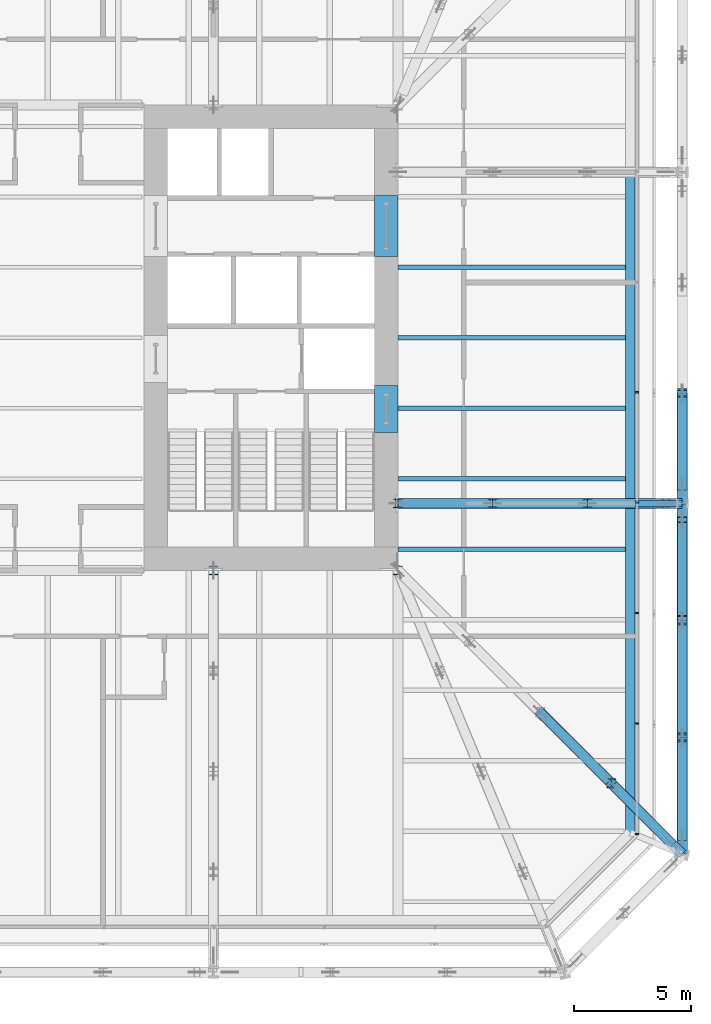
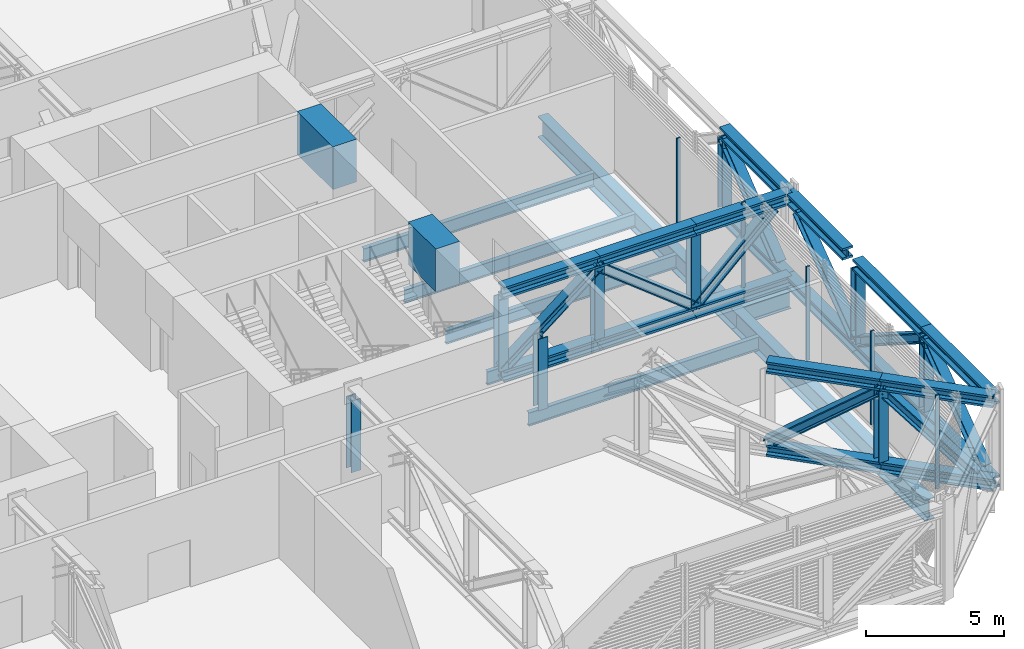
# One storey, part 11 of 33: 28 beams, 23 members, 1 element without a shape of its own.
"""IFC4 building model written with IfcOpenShell, lengths in metres."""

from ifc_helpers import new_model, si_unit, direction, frame, origin, origin_2d, place, context, subcontext, project, spatial, rectangle, i_section, extrude, material, layer, layer_set, material_profile, profile_set, type_object, element, aggregate, save


model = new_model("IFC4")

# Units and contexts
model_context = context("Model", 3, precision=1e-05, world=origin(), true_north=direction((0.0, 1.0)))
body_context = subcontext(model_context, "Body", "Model", "MODEL_VIEW")
ifc_project = project(units=[si_unit("LENGTHUNIT", "METRE"), si_unit("AREAUNIT", "SQUARE_METRE"), si_unit("VOLUMEUNIT", "CUBIC_METRE"), si_unit("PLANEANGLEUNIT", "RADIAN"), si_unit("MASSUNIT", "GRAM", prefix="KILO")], contexts=[model_context])

# Site, building, storey
site_placement = place(None, origin())
site = spatial("IfcSite", under=ifc_project, at=site_placement, CompositionType="ELEMENT")
building_placement = place(site_placement, origin())
building = spatial("IfcBuilding", under=site, at=building_placement, Name="Millrace Tower", CompositionType="ELEMENT")
storey_placement = place(building_placement, frame((0.0, 0.0, 64.10009765625)))
storey = spatial("IfcBuildingStorey", under=building, at=storey_placement, Name="L14", CompositionType="ELEMENT", Elevation=64.10009765625)

# Beams
ifc_material_1 = material(Name="Steel ASTM A992 Grade 50", Category="steel")
ifc_material_profile_1 = material_profile(ifc_material_1, i_section(OverallWidth=0.436767578125, OverallDepth=0.51318359375, WebThickness=0.060546875, FlangeThickness=0.096923828125, FilletRadius=0.01513671875, at=origin_2d()))
ifc_profile_set_1 = profile_set([ifc_material_profile_1], Name="Steel ASTM A992 Grade 50")
beam_type_1 = type_object("IfcBeamType", Name="Belt truss chord W14x550", PredefinedType="BEAM", material=ifc_profile_set_1)
beam_1_placement = place(storey_placement, frame((27.0, -21.978515625, 0.25634765625), z_axis=(0.0, 1.0, 0.0), x_axis=(-1.0, 0.0, 0.0)))
element("IfcBeam", 1, at=beam_1_placement, inside=storey, type_object=beam_type_1, Name="BLT-L14-R06-B01", PredefinedType="BEAM", context=body_context, shape_type="SweptSolid", body=[
    extrude(i_section(OverallWidth=0.436767578125, OverallDepth=0.51318359375, WebThickness=0.060546875, FlangeThickness=0.096923828125, FilletRadius=0.01513671875, at=origin_2d()), origin(), (0.0, 0.0, 1.0), 4.976318359375),
])
for number, where, z_axis, x_axis, name in (
    (2, (27.0, -17.002197265625, 0.25634765625), (0.0, 1.0, 0.0), (-1.0, 0.0, 0.0), "BLT-L14-R06-B02"),
    (3, (27.0, -17.002197265625, 3.943359375), (0.0, 1.0, 0.0), (-1.0, 0.0, 0.0), "BLT-L14-R06-T02"),
    (4, (27.0, -12.026123046875, 0.25634765625), (0.0, 1.0, 0.0), (-1.0, 0.0, 0.0), "BLT-L14-R06-B03"),
):
    element("IfcBeam", number, at=place(storey_placement, frame(where, z_axis=z_axis, x_axis=x_axis)), inside=storey, type_object=beam_type_1, Name=name, PredefinedType="BEAM", context=body_context, shape_type="SweptSolid", body=[
        extrude(i_section(OverallWidth=0.436767578125, OverallDepth=0.51318359375, WebThickness=0.060546875, FlangeThickness=0.096923828125, FilletRadius=0.01513671875, at=origin_2d()), origin(), (0.0, 0.0, 1.0), 4.97607421875),
    ])
beam_2_placement = place(storey_placement, frame((27.0, -7.050048828125, 0.25634765625), z_axis=(0.0, 1.0, 0.0), x_axis=(-1.0, 0.0, 0.0)))
element("IfcBeam", 5, at=beam_2_placement, inside=storey, type_object=beam_type_1, Name="BLT-L14-R07-B01", PredefinedType="BEAM", context=body_context, shape_type="SweptSolid", body=[
    extrude(i_section(OverallWidth=0.436767578125, OverallDepth=0.51318359375, WebThickness=0.060546875, FlangeThickness=0.096923828125, FilletRadius=0.01513671875, at=origin_2d()), origin(), (0.0, 0.0, 1.0), 4.699951171875),
])
beam_3_placement = place(storey_placement, frame((27.0, -21.961181640625, 3.943359375), z_axis=(0.0, 1.0, 0.0), x_axis=(-1.0, 0.0, 0.0)))
element("IfcBeam", 6, at=beam_3_placement, inside=storey, type_object=beam_type_1, Name="BLT-L14-R06-T01", PredefinedType="BEAM", context=body_context, shape_type="SweptSolid", body=[
    extrude(i_section(OverallWidth=0.436767578125, OverallDepth=0.51318359375, WebThickness=0.060546875, FlangeThickness=0.096923828125, FilletRadius=0.01513671875, at=origin_2d()), origin(), (0.0, 0.0, 1.0), 4.958984375),
])
beam_4_placement = place(storey_placement, frame((27.0, -7.03271484375, 3.943359375), z_axis=(0.0, 1.0, 0.0), x_axis=(-1.0, 0.0, 0.0)))
element("IfcBeam", 7, at=beam_4_placement, inside=storey, type_object=beam_type_1, Name="BLT-L14-R07-T01", PredefinedType="BEAM", context=body_context, shape_type="SweptSolid", body=[
    extrude(i_section(OverallWidth=0.436767578125, OverallDepth=0.51318359375, WebThickness=0.060546875, FlangeThickness=0.096923828125, FilletRadius=0.01513671875, at=origin_2d()), origin(), (0.0, 0.0, 1.0), 4.6826171875),
])
beam_5_placement = place(storey_placement, frame((27.0, -11.283203125, 3.943359375), z_axis=(0.0, 1.0, 0.0), x_axis=(-1.0, 0.0, 0.0)))
element("IfcBeam", 8, at=beam_5_placement, inside=storey, type_object=beam_type_1, Name="BLT-L14-R06-T03", PredefinedType="BEAM", context=body_context, shape_type="SweptSolid", body=[
    extrude(i_section(OverallWidth=0.436767578125, OverallDepth=0.51318359375, WebThickness=0.060546875, FlangeThickness=0.096923828125, FilletRadius=0.01513671875, at=origin_2d()), origin(), (0.0, 0.0, 1.0), 4.2158203125),
])

# Members
ifc_material_2 = material(Name="Steel ASTM A992 Grade 50", Category="steel")
ifc_material_profile_2 = material_profile(ifc_material_2, i_section(OverallWidth=0.40380859375, OverallDepth=0.406494140625, WebThickness=0.027099609375, FlangeThickness=0.043701171875, FilletRadius=0.01513671875, at=origin_2d()))
ifc_profile_set_2 = profile_set([ifc_material_profile_2], Name="Steel ASTM A992 Grade 50")
member_type_1 = type_object("IfcMemberType", Name="Belt truss diagonal W14x233", PredefinedType="BRACE", material=ifc_profile_set_2)
member_1_placement = place(storey_placement, frame((27.0, -21.2783203125, 0.512939453125), z_axis=(0.0, 0.802988323282, 0.59599475893), x_axis=(-1.0, 0.0, 0.0)))
element("IfcMember", 9, at=member_1_placement, inside=storey, type_object=member_type_1, Name="BLT-L14-R06-D01", PredefinedType="BRACE", context=body_context, shape_type="SweptSolid", body=[
    extrude(i_section(OverallWidth=0.40380859375, OverallDepth=0.406494140625, WebThickness=0.027099609375, FlangeThickness=0.043701171875, FilletRadius=0.01513671875, at=origin_2d()), origin(), (0.0, 0.0, 1.0), 5.3251953125),
])
member_2_placement = place(storey_placement, frame((27.0, -12.026123046875, 0.512939453125), z_axis=(0.0, -0.843105769353, 0.537747767716), x_axis=(1.0, 0.0, 0.0)))
element("IfcMember", 10, at=member_2_placement, inside=storey, type_object=member_type_1, Name="BLT-L14-R06-D02", PredefinedType="BRACE", context=body_context, shape_type="SweptSolid", body=[
    extrude(i_section(OverallWidth=0.40380859375, OverallDepth=0.406494140625, WebThickness=0.027099609375, FlangeThickness=0.043701171875, FilletRadius=0.01513671875, at=origin_2d()), origin(), (0.0, 0.0, 1.0), 5.902099609375),
])
member_3_placement = place(storey_placement, frame((27.0, -12.026123046875, 0.512939453125), z_axis=(0.0, 0.802988323282, 0.59599475893), x_axis=(-1.0, 0.0, 0.0)))
element("IfcMember", 11, at=member_3_placement, inside=storey, type_object=member_type_1, Name="BLT-L14-R06-D03", PredefinedType="BRACE", context=body_context, shape_type="SweptSolid", body=[
    extrude(i_section(OverallWidth=0.40380859375, OverallDepth=0.406494140625, WebThickness=0.027099609375, FlangeThickness=0.043701171875, FilletRadius=0.01513671875, at=origin_2d()), origin(), (0.0, 0.0, 1.0), 5.3251953125),
])
member_4_placement = place(storey_placement, frame((27.0, -6.35009765625, 0.512939453125), z_axis=(0.0, 0.783362807967, 0.621564728001), x_axis=(-1.0, 0.0, 0.0)))
element("IfcMember", 12, at=member_4_placement, inside=storey, type_object=member_type_1, Name="BLT-L14-R07-D01", PredefinedType="BRACE", context=body_context, shape_type="SweptSolid", body=[
    extrude(i_section(OverallWidth=0.40380859375, OverallDepth=0.406494140625, WebThickness=0.027099609375, FlangeThickness=0.043701171875, FilletRadius=0.01513671875, at=origin_2d()), origin(), (0.0, 0.0, 1.0), 5.106201171875),
])
ifc_material_3 = material(Name="Steel ASTM A992 Grade 50", Category="steel")
ifc_material_profile_3 = material_profile(ifc_material_3, i_section(OverallWidth=0.398681640625, OverallDepth=0.393798828125, WebThickness=0.022705078125, FlangeThickness=0.03662109375, FilletRadius=0.01513671875, at=origin_2d()))
ifc_profile_set_3 = profile_set([ifc_material_profile_3], Name="Steel ASTM A992 Grade 50")
member_type_2 = type_object("IfcMemberType", Name="Belt truss post W14x193", PredefinedType="POST", material=ifc_profile_set_3)
for number, where, z_axis, x_axis, name in (
    (13, (27.0, -17.002197265625, 0.512939453125), (0.0, 0.0, 1.0), (1.0, 0.0, 0.0), "BLT-L14-R06-V01"),
    (14, (27.0, -12.026123046875, 0.512939453125), (0.0, 0.0, 1.0), (1.0, 0.0, 0.0), "BLT-L14-R06-V02"),
    (15, (27.0, -2.35009765625, 0.512939453125), (0.0, 0.0, 1.0), (1.0, 0.0, 0.0), "BLT-L14-R07-V01"),
):
    element("IfcMember", number, at=place(storey_placement, frame(where, z_axis=z_axis, x_axis=x_axis)), inside=storey, type_object=member_type_2, Name=name, PredefinedType="POST", context=body_context, shape_type="SweptSolid", body=[
        extrude(i_section(OverallWidth=0.398681640625, OverallDepth=0.393798828125, WebThickness=0.022705078125, FlangeThickness=0.03662109375, FilletRadius=0.01513671875, at=origin_2d()), origin(), (0.0, 0.0, 1.0), 3.173828125),
    ])

# Curtain wall, members
ifc_material_4 = material(Name="Aluminium and glass", Category="aluminium")
ifc_layer = layer(ifc_material_4, 0.14990234375)
ifc_layer_set = layer_set([ifc_layer], Name="Aluminium and glass")
curtain_wall_type = type_object("IfcCurtainWallType", Name="CW-5 truss and plant storey louvred infill", PredefinedType="NOTDEFINED", material=ifc_layer_set)
curtain_wall_placement = place(storey_placement, origin())
curtain_wall = element("IfcCurtainWall", 16, at=curtain_wall_placement, inside=storey, type_object=curtain_wall_type, Name="Curtain wall A-F04 L14", PredefinedType="NOTDEFINED")
ifc_material_5 = material(Name="Aluminium", Category="aluminium")
ifc_material_profile_4 = material_profile(ifc_material_5, rectangle(XDim=0.06494140625, YDim=0.14990234375, at=origin_2d()))
ifc_profile_set_4 = profile_set([ifc_material_profile_4], Name="Aluminium")
member_type_3 = type_object("IfcMemberType", Name="CW-5 truss and plant storey louvred infill mullion", PredefinedType="MULLION", material=ifc_profile_set_4)
member_5_placement = place(storey_placement, frame((25.074951171875, -21.117431640625, 0.139892578125), z_axis=(0.0, 0.0, 1.0), x_axis=(0.0, 1.0, 0.0)))
member_5 = element("IfcMember", 17, at=member_5_placement, type_object=member_type_3, Name="CW5 mullion A-F04.1", PredefinedType="MULLION", context=body_context, shape_type="SweptSolid", body=[
    extrude(rectangle(XDim=0.06494140625, YDim=0.14990234375, at=origin_2d()), origin(), (0.0, 0.0, 1.0), 4.159912109375),
])
member_6_placement = place(storey_placement, frame((25.074951171875, -16.41748046875, 0.139892578125), z_axis=(0.0, 0.0, 1.0), x_axis=(0.0, 1.0, 0.0)))
member_6 = element("IfcMember", 18, at=member_6_placement, type_object=member_type_3, Name="CW5 mullion A-F04.2", PredefinedType="MULLION", context=body_context, shape_type="SweptSolid", body=[
    extrude(rectangle(XDim=0.06494140625, YDim=0.14990234375, at=origin_2d()), origin(), (0.0, 0.0, 1.0), 4.159912109375),
])
member_7_placement = place(storey_placement, frame((25.074951171875, -11.717529296875, 0.139892578125), z_axis=(0.0, 0.0, 1.0), x_axis=(0.0, 1.0, 0.0)))
member_7 = element("IfcMember", 19, at=member_7_placement, type_object=member_type_3, Name="CW5 mullion A-F04.3", PredefinedType="MULLION", context=body_context, shape_type="SweptSolid", body=[
    extrude(rectangle(XDim=0.06494140625, YDim=0.14990234375, at=origin_2d()), origin(), (0.0, 0.0, 1.0), 4.159912109375),
])
member_8_placement = place(storey_placement, frame((25.074951171875, -7.017578125, 0.139892578125), z_axis=(0.0, 0.0, 1.0), x_axis=(0.0, 1.0, 0.0)))
member_8 = element("IfcMember", 20, at=member_8_placement, type_object=member_type_3, Name="CW5 mullion A-F04.4", PredefinedType="MULLION", context=body_context, shape_type="SweptSolid", body=[
    extrude(rectangle(XDim=0.06494140625, YDim=0.14990234375, at=origin_2d()), origin(), (0.0, 0.0, 1.0), 4.159912109375),
])
member_9_placement = place(storey_placement, frame((25.074951171875, -2.3173828125, 0.139892578125), z_axis=(0.0, 0.0, 1.0), x_axis=(0.0, 1.0, 0.0)))
member_9 = element("IfcMember", 21, at=member_9_placement, type_object=member_type_3, Name="CW5 mullion A-F04.5", PredefinedType="MULLION", context=body_context, shape_type="SweptSolid", body=[
    extrude(rectangle(XDim=0.06494140625, YDim=0.14990234375, at=origin_2d()), origin(), (0.0, 0.0, 1.0), 4.159912109375),
])
aggregate(curtain_wall, [member_5, member_6, member_7, member_8, member_9])

# Beams
ifc_material_6 = material(Name="Concrete C80", Category="concrete")
ifc_material_profile_5 = material_profile(ifc_material_6, rectangle(XDim=1.0, YDim=1.89990234375, at=origin_2d()))
ifc_profile_set_5 = profile_set([ifc_material_profile_5], Name="Concrete C80")
beam_type_2 = type_object("IfcBeamType", Name="Coupling beam 1000 x 1900 Concrete C80, 1300 opening", PredefinedType="BEAM", material=ifc_profile_set_5)
beam_6_placement = place(storey_placement, frame((14.39990234375, -2.032470703125, 3.349853515625), z_axis=(0.0, -1.0, 0.0), x_axis=(1.0, 0.0, 0.0)))
element("IfcBeam", 22, at=beam_6_placement, inside=storey, type_object=beam_type_2, Name="Coupling beam E L14", PredefinedType="BEAM", context=body_context, shape_type="SweptSolid", body=[
    extrude(rectangle(XDim=1.0, YDim=1.89990234375, at=origin_2d()), origin(), (0.0, 0.0, 1.0), 1.9951171875),
])
ifc_material_7 = material(Name="Concrete C80", Category="concrete")
ifc_material_profile_6 = material_profile(ifc_material_7, rectangle(XDim=1.0, YDim=1.89990234375, at=origin_2d()))
ifc_profile_set_6 = profile_set([ifc_material_profile_6], Name="Concrete C80")
beam_type_3 = type_object("IfcBeamType", Name="Coupling beam 1000 x 1900 Concrete C80, 2000 opening", PredefinedType="BEAM", material=ifc_profile_set_6)
beam_7_placement = place(storey_placement, frame((14.39990234375, 6.050048828125, 3.349853515625), z_axis=(0.0, -1.0, 0.0), x_axis=(1.0, 0.0, 0.0)))
element("IfcBeam", 23, at=beam_7_placement, inside=storey, type_object=beam_type_3, Name="Coupling beam E L14", PredefinedType="BEAM", context=body_context, shape_type="SweptSolid", body=[
    extrude(rectangle(XDim=1.0, YDim=1.89990234375, at=origin_2d()), origin(), (0.0, 0.0, 1.0), 2.60009765625),
])
ifc_material_8 = material(Name="Steel ASTM A992 Grade 50", Category="steel")
ifc_material_profile_7 = material_profile(ifc_material_8, i_section(OverallWidth=0.177978515625, OverallDepth=0.599365234375, WebThickness=0.010009765625, FlangeThickness=0.012939453125, FilletRadius=0.012939453125, at=origin_2d()))
ifc_profile_set_7 = profile_set([ifc_material_profile_7], Name="Steel ASTM A992 Grade 50")
beam_type_4 = type_object("IfcBeamType", Name="Floor beam W24x55", PredefinedType="JOIST", material=ifc_profile_set_7)
for number, where, z_axis, x_axis, name in (
    (24, (14.89990234375, -9.0, -0.5498046875), (1.0, 0.0, 0.0), (0.0, 1.0, 0.0), "BM-A-L14-S1-S013"),
    (25, (14.89990234375, -6.0, -0.5498046875), (1.0, 0.0, 0.0), (0.0, 1.0, 0.0), "BM-A-L14-S1-S016"),
    (26, (14.89990234375, -3.0, -0.5498046875), (1.0, 0.0, 0.0), (0.0, 1.0, 0.0), "BM-A-L14-S1-S019"),
    (27, (14.89990234375, 0.0, -0.5498046875), (1.0, 0.0, 0.0), (0.0, 1.0, 0.0), "BM-A-L14-S1-S022"),
    (28, (14.89990234375, 3.0, -0.5498046875), (1.0, 0.0, 0.0), (0.0, 1.0, 0.0), "BM-A-L14-S1-S025"),
):
    element("IfcBeam", number, at=place(storey_placement, frame(where, z_axis=z_axis, x_axis=x_axis)), inside=storey, type_object=beam_type_4, Name=name, PredefinedType="JOIST", context=body_context, shape_type="SweptSolid", body=[
        extrude(i_section(OverallWidth=0.177978515625, OverallDepth=0.599365234375, WebThickness=0.010009765625, FlangeThickness=0.012939453125, FilletRadius=0.012939453125, at=origin_2d()), origin(), (0.0, 0.0, 1.0), 9.678466796875),
    ])
ifc_material_9 = material(Name="Steel ASTM A992 Grade 50", Category="steel")
ifc_material_profile_8 = material_profile(ifc_material_9, i_section(OverallWidth=0.2666015625, OverallDepth=0.7568359375, WebThickness=0.013916015625, FlangeThickness=0.019287109375, FilletRadius=0.0166015625, at=origin_2d()))
ifc_profile_set_8 = profile_set([ifc_material_profile_8], Name="Steel ASTM A992 Grade 50")
beam_type_5 = type_object("IfcBeamType", Name="Link beam W30x108", PredefinedType="BEAM", material=ifc_profile_set_8)
beam_8_placement = place(storey_placement, frame((25.0, -7.050048828125, -0.628662109375), z_axis=(1.0, 0.0, 0.0), x_axis=(0.0, 1.0, 0.0)))
element("IfcBeam", 29, at=beam_8_placement, inside=storey, type_object=beam_type_5, Name="LNK-A-L14-S1-11", PredefinedType="BEAM", context=body_context, shape_type="SweptSolid", body=[
    extrude(i_section(OverallWidth=0.2666015625, OverallDepth=0.7568359375, WebThickness=0.013916015625, FlangeThickness=0.019287109375, FilletRadius=0.0166015625, at=origin_2d()), origin(), (0.0, 0.0, 1.0), 2.0),
])
ifc_material_10 = material(Name="Steel ASTM A992 Grade 50", Category="steel")
ifc_material_profile_9 = material_profile(ifc_material_10, i_section(OverallWidth=0.436767578125, OverallDepth=0.51318359375, WebThickness=0.060546875, FlangeThickness=0.096923828125, FilletRadius=0.01513671875, at=origin_2d()))
ifc_profile_set_9 = profile_set([ifc_material_profile_9], Name="Steel ASTM A992 Grade 50")
beam_type_6 = type_object("IfcBeamType", Name="Outrigger truss chord W14x550", PredefinedType="BEAM", material=ifc_profile_set_9)
for number, where, z_axis, x_axis, name in (
    (30, (20.949951171875, -15.939208984375, 0.25634765625), (0.707763346272, -0.706449605899, 0.0), (0.706449605899, 0.707763346272, 0.0), "BLT-L14-O06-B03"),
    (31, (20.949951171875, -15.939208984375, 3.943359375), (0.707763346272, -0.706449605899, 0.0), (0.706449605899, 0.707763346272, 0.0), "BLT-L14-O06-T03"),
    (32, (23.97509765625, -18.958740234375, 0.25634765625), (0.707706277922, -0.706506775756, 0.0), (0.706506775756, 0.707706277922, 0.0), "BLT-L14-O06-B04"),
    (33, (23.97509765625, -18.958740234375, 3.943359375), (0.707706277922, -0.706506775756, 0.0), (0.706506775756, 0.707706277922, 0.0), "BLT-L14-O06-T04"),
):
    element("IfcBeam", number, at=place(storey_placement, frame(where, z_axis=z_axis, x_axis=x_axis)), inside=storey, type_object=beam_type_6, Name=name, PredefinedType="BEAM", context=body_context, shape_type="SweptSolid", body=[
        extrude(i_section(OverallWidth=0.436767578125, OverallDepth=0.51318359375, WebThickness=0.060546875, FlangeThickness=0.096923828125, FilletRadius=0.01513671875, at=origin_2d()), origin(), (0.0, 0.0, 1.0), 4.274169921875),
    ])
for number, where, z_axis, x_axis, name in (
    (34, (14.89990234375, -7.050048828125, 0.25634765625), (1.0, 0.0, 0.0), (0.0, 1.0, 0.0), "BLT-L14-O07-B01"),
    (35, (14.89990234375, -7.050048828125, 3.943359375), (1.0, 0.0, 0.0), (0.0, 1.0, 0.0), "BLT-L14-O07-T01"),
):
    element("IfcBeam", number, at=place(storey_placement, frame(where, z_axis=z_axis, x_axis=x_axis)), inside=storey, type_object=beam_type_6, Name=name, PredefinedType="BEAM", context=body_context, shape_type="SweptSolid", body=[
        extrude(i_section(OverallWidth=0.436767578125, OverallDepth=0.51318359375, WebThickness=0.060546875, FlangeThickness=0.096923828125, FilletRadius=0.01513671875, at=origin_2d()), origin(), (0.0, 0.0, 1.0), 4.033447265625),
    ])
for number, where, z_axis, x_axis, name in (
    (36, (18.933349609375, -7.050048828125, 0.25634765625), (1.0, 0.0, 0.0), (0.0, 1.0, 0.0), "BLT-L14-O07-B02"),
    (37, (18.933349609375, -7.050048828125, 3.943359375), (1.0, 0.0, 0.0), (0.0, 1.0, 0.0), "BLT-L14-O07-T02"),
):
    element("IfcBeam", number, at=place(storey_placement, frame(where, z_axis=z_axis, x_axis=x_axis)), inside=storey, type_object=beam_type_6, Name=name, PredefinedType="BEAM", context=body_context, shape_type="SweptSolid", body=[
        extrude(i_section(OverallWidth=0.436767578125, OverallDepth=0.51318359375, WebThickness=0.060546875, FlangeThickness=0.096923828125, FilletRadius=0.01513671875, at=origin_2d()), origin(), (0.0, 0.0, 1.0), 4.033203125),
    ])
for number, where, z_axis, x_axis, name in (
    (38, (22.966552734375, -7.050048828125, 0.25634765625), (1.0, 0.0, 0.0), (0.0, 1.0, 0.0), "BLT-L14-O07-B03"),
    (39, (22.966552734375, -7.050048828125, 3.943359375), (1.0, 0.0, 0.0), (0.0, 1.0, 0.0), "BLT-L14-O07-T03"),
):
    element("IfcBeam", number, at=place(storey_placement, frame(where, z_axis=z_axis, x_axis=x_axis)), inside=storey, type_object=beam_type_6, Name=name, PredefinedType="BEAM", context=body_context, shape_type="SweptSolid", body=[
        extrude(i_section(OverallWidth=0.436767578125, OverallDepth=0.51318359375, WebThickness=0.060546875, FlangeThickness=0.096923828125, FilletRadius=0.01513671875, at=origin_2d()), origin(), (0.0, 0.0, 1.0), 4.033447265625),
    ])

# Members
ifc_material_11 = material(Name="Steel ASTM A992 Grade 50", Category="steel")
ifc_material_profile_10 = material_profile(ifc_material_11, i_section(OverallWidth=0.40380859375, OverallDepth=0.406494140625, WebThickness=0.027099609375, FlangeThickness=0.043701171875, FilletRadius=0.01513671875, at=origin_2d()))
ifc_profile_set_10 = profile_set([ifc_material_profile_10], Name="Steel ASTM A992 Grade 50")
member_type_4 = type_object("IfcMemberType", Name="Outrigger truss diagonal W14x233", PredefinedType="BRACE", material=ifc_profile_set_10)
member_10_placement = place(storey_placement, frame((20.949951171875, -15.939208984375, 0.512939453125), z_axis=(0.568236504847, -0.567181752235, 0.596164519652), x_axis=(0.706449605899, 0.707763346272, 0.0)))
element("IfcMember", 40, at=member_10_placement, inside=storey, type_object=member_type_4, Name="BLT-L14-O06-D03", PredefinedType="BRACE", context=body_context, shape_type="SweptSolid", body=[
    extrude(i_section(OverallWidth=0.40380859375, OverallDepth=0.406494140625, WebThickness=0.027099609375, FlangeThickness=0.043701171875, FilletRadius=0.01513671875, at=origin_2d()), origin(), (0.0, 0.0, 1.0), 5.32373046875),
])
member_11_placement = place(storey_placement, frame((26.504638671875, -21.48388671875, 0.512939453125), z_axis=(-0.529195836994, 0.52827647351, 0.663984739014), x_axis=(-0.706491757517, -0.707721270389, 0.0)))
element("IfcMember", 41, at=member_11_placement, inside=storey, type_object=member_type_4, Name="BLT-L14-O06-D04", PredefinedType="BRACE", context=body_context, shape_type="SweptSolid", body=[
    extrude(i_section(OverallWidth=0.40380859375, OverallDepth=0.406494140625, WebThickness=0.027099609375, FlangeThickness=0.043701171875, FilletRadius=0.01513671875, at=origin_2d()), origin(), (0.0, 0.0, 1.0), 4.780029296875),
])
for number, where, z_axis, x_axis, name in (
    (42, (14.89990234375, -7.050048828125, 0.512939453125), (0.785874115932, 0.0, 0.618386508511), (0.0, 1.0, 0.0), "BLT-L14-O07-D01"),
    (43, (22.966552734375, -7.050048828125, 0.512939453125), (-0.785855924746, 0.0, 0.61840962601), (0.0, -1.0, 0.0), "BLT-L14-O07-D02"),
):
    element("IfcMember", number, at=place(storey_placement, frame(where, z_axis=z_axis, x_axis=x_axis)), inside=storey, type_object=member_type_4, Name=name, PredefinedType="BRACE", context=body_context, shape_type="SweptSolid", body=[
        extrude(i_section(OverallWidth=0.40380859375, OverallDepth=0.406494140625, WebThickness=0.027099609375, FlangeThickness=0.043701171875, FilletRadius=0.01513671875, at=origin_2d()), origin(), (0.0, 0.0, 1.0), 5.13232421875),
    ])
member_12_placement = place(storey_placement, frame((22.966552734375, -7.050048828125, 0.512939453125), z_axis=(0.724238835999, 0.0, 0.689549206678), x_axis=(0.0, 1.0, 0.0)))
element("IfcMember", 44, at=member_12_placement, inside=storey, type_object=member_type_4, Name="BLT-L14-O07-D03", PredefinedType="BRACE", context=body_context, shape_type="SweptSolid", body=[
    extrude(i_section(OverallWidth=0.40380859375, OverallDepth=0.406494140625, WebThickness=0.027099609375, FlangeThickness=0.043701171875, FilletRadius=0.01513671875, at=origin_2d()), origin(), (0.0, 0.0, 1.0), 4.602783203125),
])
ifc_material_12 = material(Name="Steel ASTM A992 Grade 50", Category="steel")
ifc_material_profile_11 = material_profile(ifc_material_12, i_section(OverallWidth=0.398681640625, OverallDepth=0.393798828125, WebThickness=0.022705078125, FlangeThickness=0.03662109375, FilletRadius=0.01513671875, at=origin_2d()))
ifc_profile_set_11 = profile_set([ifc_material_profile_11], Name="Steel ASTM A992 Grade 50")
member_type_5 = type_object("IfcMemberType", Name="Outrigger truss post W14x193", PredefinedType="POST", material=ifc_profile_set_11)
for number, where, z_axis, x_axis, name in (
    (45, (7.050048828125, -9.89990234375, 0.512939453125), (0.0, 0.0, 1.0), (1.0, 0.0, 0.0), "BLT-L14-O04-V00"),
    (46, (14.89990234375, -9.89990234375, 0.512939453125), (0.0, 0.0, 1.0), (1.0, 0.0, 0.0), "BLT-L14-O05-V00"),
    (47, (23.97509765625, -18.958740234375, 0.512939453125), (0.0, 0.0, 1.0), (1.0, 0.0, 0.0), "BLT-L14-O06-V03"),
    (48, (14.89990234375, -7.050048828125, 0.512939453125), (0.0, 0.0, 1.0), (1.0, 0.0, 0.0), "BLT-L14-O07-V00"),
    (49, (18.933349609375, -7.050048828125, 0.512939453125), (0.0, 0.0, 1.0), (1.0, 0.0, 0.0), "BLT-L14-O07-V01"),
    (50, (22.966552734375, -7.050048828125, 0.512939453125), (0.0, 0.0, 1.0), (1.0, 0.0, 0.0), "BLT-L14-O07-V02"),
):
    element("IfcMember", number, at=place(storey_placement, frame(where, z_axis=z_axis, x_axis=x_axis)), inside=storey, type_object=member_type_5, Name=name, PredefinedType="POST", context=body_context, shape_type="SweptSolid", body=[
        extrude(i_section(OverallWidth=0.398681640625, OverallDepth=0.393798828125, WebThickness=0.022705078125, FlangeThickness=0.03662109375, FilletRadius=0.01513671875, at=origin_2d()), origin(), (0.0, 0.0, 1.0), 3.173828125),
    ])

# Beams
ifc_material_13 = material(Name="Steel ASTM A992 Grade 50", Category="steel")
ifc_material_profile_12 = material_profile(ifc_material_13, i_section(OverallWidth=0.421630859375, OverallDepth=0.937255859375, WebThickness=0.021240234375, FlangeThickness=0.03662109375, FilletRadius=0.024169921875, at=origin_2d()))
ifc_profile_set_12 = profile_set([ifc_material_profile_12], Name="Steel ASTM A992 Grade 50")
beam_type_7 = type_object("IfcBeamType", Name="Ring beam medium span W36x262", PredefinedType="SPANDREL", material=ifc_profile_set_12)
beam_9_placement = place(storey_placement, frame((24.7890625, 7.050048828125, -0.71875), z_axis=(0.0, -1.0, 0.0), x_axis=(1.0, 0.0, 0.0)))
element("IfcBeam", 51, at=beam_9_placement, inside=storey, type_object=beam_type_7, Name="RNG-A-L14-S1-10", PredefinedType="SPANDREL", context=body_context, shape_type="SweptSolid", body=[
    extrude(i_section(OverallWidth=0.421630859375, OverallDepth=0.937255859375, WebThickness=0.021240234375, FlangeThickness=0.03662109375, FilletRadius=0.024169921875, at=origin_2d()), origin(), (0.0, 0.0, 1.0), 14.10009765625),
])
beam_10_placement = place(storey_placement, frame((24.7890625, -7.050048828125, -0.71875), z_axis=(0.0, -1.0, 0.0), x_axis=(1.0, 0.0, 0.0)))
element("IfcBeam", 52, at=beam_10_placement, inside=storey, type_object=beam_type_7, Name="RNG-A-L14-S1-11", PredefinedType="SPANDREL", context=body_context, shape_type="SweptSolid", body=[
    extrude(i_section(OverallWidth=0.421630859375, OverallDepth=0.937255859375, WebThickness=0.021240234375, FlangeThickness=0.03662109375, FilletRadius=0.024169921875, at=origin_2d()), origin(), (0.0, 0.0, 1.0), 14.0126953125),
])

save(model, "model.ifc")
